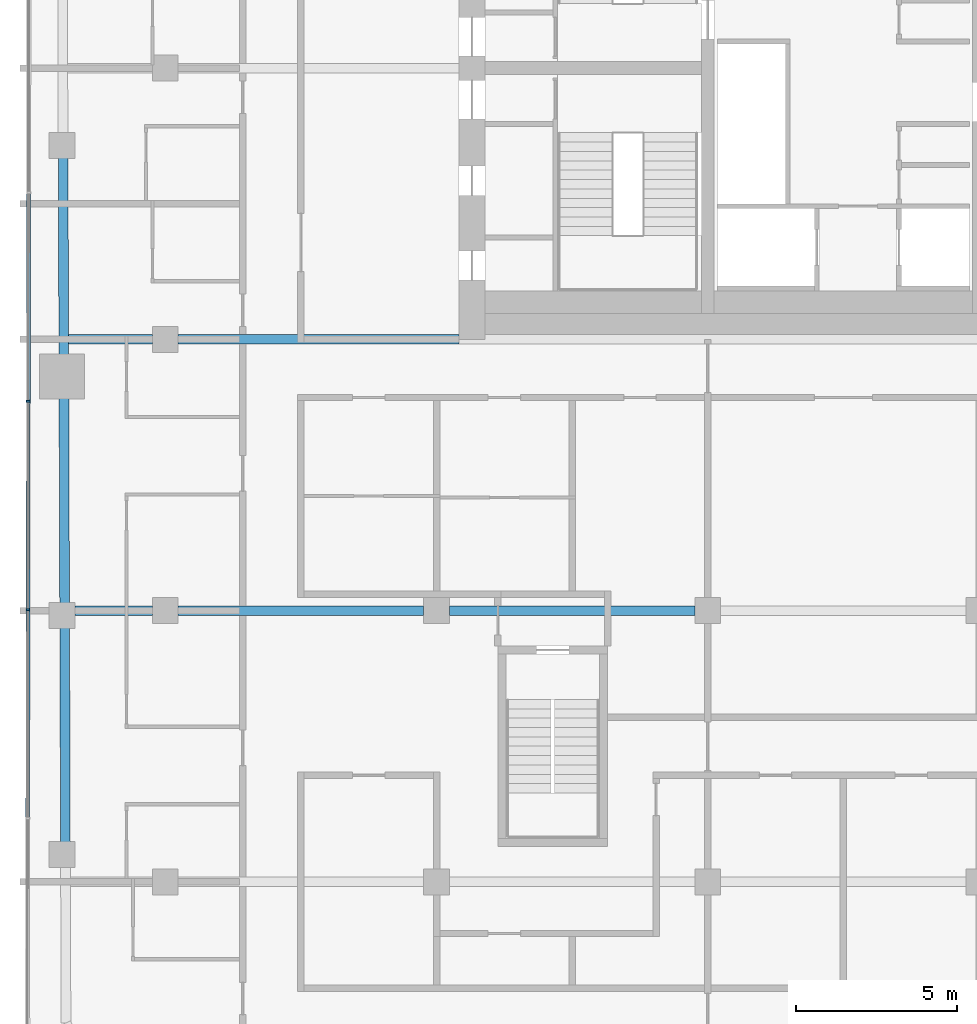
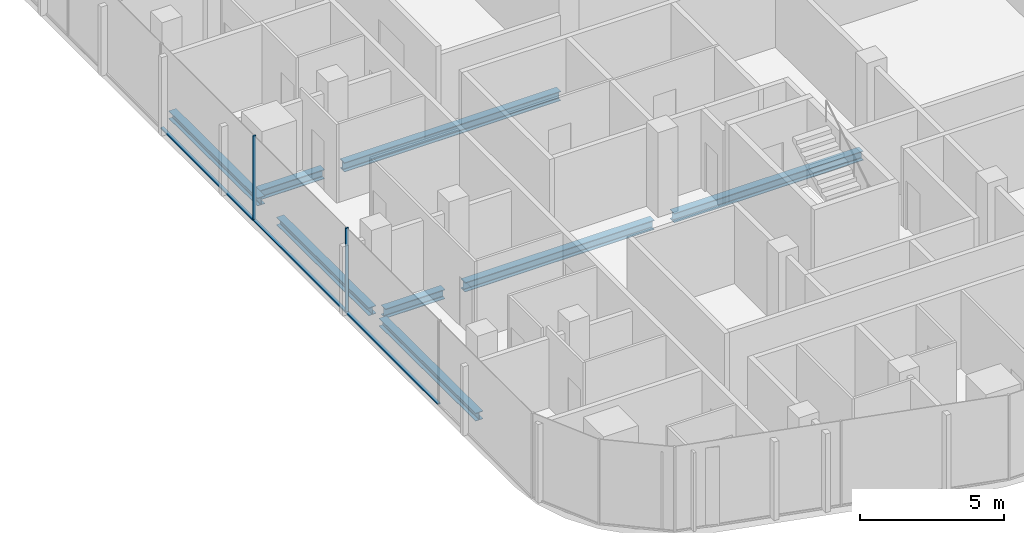
# One storey, part 4 of 22: 8 beams, 5 members, 1 element without a shape of its own.
"""IFC4 building model written with IfcOpenShell, lengths in metres."""

from ifc_helpers import new_model, si_unit, direction, frame, origin, origin_2d, place, context, subcontext, project, spatial, rectangle, i_section, extrude, material, layer, layer_set, material_profile, profile_set, type_object, element, aggregate, save


model = new_model("IFC4")

# Units and contexts
model_context = context("Model", 3, precision=1e-05, world=origin(), true_north=direction((0.0, 1.0)))
body_context = subcontext(model_context, "Body", "Model", "MODEL_VIEW")
ifc_project = project(units=[si_unit("LENGTHUNIT", "METRE"), si_unit("AREAUNIT", "SQUARE_METRE"), si_unit("VOLUMEUNIT", "CUBIC_METRE"), si_unit("PLANEANGLEUNIT", "RADIAN"), si_unit("MASSUNIT", "GRAM", prefix="KILO")], contexts=[model_context])

# Site, building, storey
site_placement = place(None, origin())
site = spatial("IfcSite", under=ifc_project, at=site_placement, CompositionType="ELEMENT")
building_placement = place(site_placement, origin())
building = spatial("IfcBuilding", under=site, at=building_placement, Name="Marenta Gate Hotel Tower", CompositionType="ELEMENT")
storey_placement = place(building_placement, frame((0.0, 0.0, 238.10009765625)))
storey = spatial("IfcBuildingStorey", under=building, at=storey_placement, Name="L56", CompositionType="ELEMENT", Elevation=238.10009765625)

# Beams
ifc_material_1 = material(Name="Steel S355", Category="steel")
ifc_material_profile_1 = material_profile(ifc_material_1, i_section(OverallWidth=0.300048828125, OverallDepth=0.340087890625, WebThickness=0.011962890625, FlangeThickness=0.021484375, FilletRadius=0.027099609375, at=origin_2d()), Name="HEB 340")
ifc_profile_set_1 = profile_set([ifc_material_profile_1], Name="Steel S355")
beam_type_1 = type_object("IfcBeamType", Name="Edge beam HEB 340", PredefinedType="SPANDREL", material=ifc_profile_set_1)
beam_1_placement = place(storey_placement, frame((-24.09375, -15.591796875, -0.43017578125), z_axis=(-0.00332539729, 0.999994470851, 0.0), x_axis=(-0.999994470851, -0.00332539729, 0.0)))
element("IfcBeam", 1, at=beam_1_placement, inside=storey, type_object=beam_type_1, Name="L56-EB-6", PredefinedType="SPANDREL", context=body_context, shape_type="SweptSolid", body=[
    extrude(i_section(OverallWidth=0.300048828125, OverallDepth=0.340087890625, WebThickness=0.011962890625, FlangeThickness=0.021484375, FilletRadius=0.027099609375, at=origin_2d()), origin(), (0.0, 0.0, 1.0), 6.680908203125),
])
beam_2_placement = place(storey_placement, frame((-24.118408203125, -8.19091796875, -0.43017578125), z_axis=(-0.003328723523, 0.999994459785, 0.0), x_axis=(-0.999994459785, -0.003328723523, 0.0)))
element("IfcBeam", 2, at=beam_2_placement, inside=storey, type_object=beam_type_1, Name="L56-EB-7", PredefinedType="SPANDREL", context=body_context, shape_type="SweptSolid", body=[
    extrude(i_section(OverallWidth=0.300048828125, OverallDepth=0.340087890625, WebThickness=0.011962890625, FlangeThickness=0.021484375, FilletRadius=0.027099609375, at=origin_2d()), origin(), (0.0, 0.0, 1.0), 6.380859375),
])
beam_3_placement = place(storey_placement, frame((-24.14404296875, -0.489990234375, -0.43017578125), z_axis=(-0.003303859048, 0.999994542243, 0.0), x_axis=(-0.999994542243, -0.003303859048, 0.0)))
element("IfcBeam", 3, at=beam_3_placement, inside=storey, type_object=beam_type_1, Name="L56-EB-8", PredefinedType="SPANDREL", context=body_context, shape_type="SweptSolid", body=[
    extrude(i_section(OverallWidth=0.300048828125, OverallDepth=0.340087890625, WebThickness=0.011962890625, FlangeThickness=0.021484375, FilletRadius=0.027099609375, at=origin_2d()), origin(), (0.0, 0.0, 1.0), 6.13330078125),
])
ifc_material_2 = material(Name="Steel S355", Category="steel")
ifc_material_profile_2 = material_profile(ifc_material_2, i_section(OverallWidth=0.300048828125, OverallDepth=0.39990234375, WebThickness=0.013427734375, FlangeThickness=0.02392578125, FilletRadius=0.027099609375, at=origin_2d()), Name="HEB 400")
ifc_profile_set_2 = profile_set([ifc_material_profile_2], Name="Steel S355")
beam_type_2 = type_object("IfcBeamType", Name="Girder HEB 400", PredefinedType="BEAM", material=ifc_profile_set_2)
beam_4_placement = place(storey_placement, frame((-23.800048828125, -8.39990234375, -0.460205078125), z_axis=(1.0, 0.0, 0.0), x_axis=(0.0, 1.0, 0.0)))
element("IfcBeam", 4, at=beam_4_placement, inside=storey, type_object=beam_type_2, Name="L56-GD-13", PredefinedType="BEAM", context=body_context, shape_type="SweptSolid", body=[
    extrude(i_section(OverallWidth=0.300048828125, OverallDepth=0.39990234375, WebThickness=0.013427734375, FlangeThickness=0.02392578125, FilletRadius=0.027099609375, at=origin_2d()), origin(), (0.0, 0.0, 1.0), 2.400146484375),
])
beam_5_placement = place(storey_placement, frame((-20.60009765625, -8.39990234375, -0.460205078125), z_axis=(1.0, 0.0, 0.0), x_axis=(0.0, 1.0, 0.0)))
element("IfcBeam", 5, at=beam_5_placement, inside=storey, type_object=beam_type_2, Name="L56-GD-14", PredefinedType="BEAM", context=body_context, shape_type="SweptSolid", body=[
    extrude(i_section(OverallWidth=0.300048828125, OverallDepth=0.39990234375, WebThickness=0.013427734375, FlangeThickness=0.02392578125, FilletRadius=0.027099609375, at=origin_2d()), origin(), (0.0, 0.0, 1.0), 7.60009765625),
])
beam_6_placement = place(storey_placement, frame((-12.199951171875, -8.39990234375, -0.460205078125), z_axis=(1.0, 0.0, 0.0), x_axis=(0.0, 1.0, 0.0)))
element("IfcBeam", 6, at=beam_6_placement, inside=storey, type_object=beam_type_2, Name="L56-GD-15", PredefinedType="BEAM", context=body_context, shape_type="SweptSolid", body=[
    extrude(i_section(OverallWidth=0.300048828125, OverallDepth=0.39990234375, WebThickness=0.013427734375, FlangeThickness=0.02392578125, FilletRadius=0.027099609375, at=origin_2d()), origin(), (0.0, 0.0, 1.0), 7.599853515625),
])
beam_7_placement = place(storey_placement, frame((-23.99560546875, 0.0, -0.460205078125), z_axis=(1.0, 0.0, 0.0), x_axis=(0.0, 1.0, 0.0)))
element("IfcBeam", 7, at=beam_7_placement, inside=storey, type_object=beam_type_2, Name="L56-GD-20", PredefinedType="BEAM", context=body_context, shape_type="SweptSolid", body=[
    extrude(i_section(OverallWidth=0.300048828125, OverallDepth=0.39990234375, WebThickness=0.013427734375, FlangeThickness=0.02392578125, FilletRadius=0.027099609375, at=origin_2d()), origin(), (0.0, 0.0, 1.0), 2.595703125),
])
beam_8_placement = place(storey_placement, frame((-20.60009765625, 0.0, -0.460205078125), z_axis=(1.0, 0.0, 0.0), x_axis=(0.0, 1.0, 0.0)))
element("IfcBeam", 8, at=beam_8_placement, inside=storey, type_object=beam_type_2, Name="L56-GD-21", PredefinedType="BEAM", context=body_context, shape_type="SweptSolid", body=[
    extrude(i_section(OverallWidth=0.300048828125, OverallDepth=0.39990234375, WebThickness=0.013427734375, FlangeThickness=0.02392578125, FilletRadius=0.027099609375, at=origin_2d()), origin(), (0.0, 0.0, 1.0), 8.7001953125),
])

# Curtain wall, members
ifc_material_3 = material(Name="Tinted insulated glass in bronze anodised frame", Category="glass")
ifc_layer = layer(ifc_material_3, 0.1201171875)
ifc_layer_set = layer_set([ifc_layer], Name="Tinted insulated glass in bronze anodised frame")
curtain_wall_type = type_object("IfcCurtainWallType", Name="Tower unitised curtain wall CW1", PredefinedType="NOTDEFINED", material=ifc_layer_set)
curtain_wall_placement = place(storey_placement, origin())
curtain_wall = element("IfcCurtainWall", 9, at=curtain_wall_placement, inside=storey, type_object=curtain_wall_type, Name="CW1 run G03", PredefinedType="NOTDEFINED")
ifc_material_4 = material(Name="Bronze anodised aluminium", Category="aluminium")
ifc_material_profile_3 = material_profile(ifc_material_4, rectangle(XDim=0.1201171875, YDim=0.06005859375, at=origin_2d()), Name="Mullion CW1 60x120 bronze anodised aluminium")
ifc_profile_set_3 = profile_set([ifc_material_profile_3], Name="Bronze anodised aluminium")
member_type_1 = type_object("IfcMemberType", Name="Mullion CW1 60x120 bronze anodised aluminium", PredefinedType="MULLION", material=ifc_profile_set_3)
member_1_placement = place(storey_placement, frame((-25.24267578125, -1.913818359375, 0.0), z_axis=(0.0, 0.0, 1.0), x_axis=(0.99999877375, -0.001566045546, 0.0)))
member_1 = element("IfcMember", 10, at=member_1_placement, type_object=member_type_1, Name="CW1 mullion 4", PredefinedType="MULLION", context=body_context, shape_type="SweptSolid", body=[
    extrude(rectangle(XDim=0.1201171875, YDim=0.06005859375, at=origin_2d()), origin(), (0.0, 0.0, 1.0), 3.599853515625),
])
member_2_placement = place(storey_placement, frame((-25.252685546875, -8.373779296875, 0.0), z_axis=(0.0, 0.0, 1.0), x_axis=(0.99999877375, -0.001566045546, 0.0)))
member_2 = element("IfcMember", 11, at=member_2_placement, type_object=member_type_1, Name="CW1 mullion 5", PredefinedType="MULLION", context=body_context, shape_type="SweptSolid", body=[
    extrude(rectangle(XDim=0.1201171875, YDim=0.06005859375, at=origin_2d()), origin(), (0.0, 0.0, 1.0), 3.599853515625),
])
ifc_material_5 = material(Name="Bronze anodised aluminium", Category="aluminium")
ifc_material_profile_4 = material_profile(ifc_material_5, rectangle(XDim=0.1201171875, YDim=0.06005859375, at=origin_2d()), Name="Transom CW1 60x120 bronze anodised aluminium")
ifc_profile_set_4 = profile_set([ifc_material_profile_4], Name="Bronze anodised aluminium")
member_type_2 = type_object("IfcMemberType", Name="Transom CW1 60x120 bronze anodised aluminium", PredefinedType="USERDEFINED", material=ifc_profile_set_4)
member_3_placement = place(storey_placement, frame((-25.232666015625, 4.51611328125, 0.02978515625), z_axis=(-0.001564047831, -0.999998776876, 0.0), x_axis=(0.999998776876, -0.001564047831, 0.0)))
member_3 = element("IfcMember", 12, at=member_3_placement, type_object=member_type_2, Name="CW1 transom 3.1", ObjectType="TRANSOM", PredefinedType="USERDEFINED", context=body_context, shape_type="SweptSolid", body=[
    extrude(rectangle(XDim=0.1201171875, YDim=0.06005859375, at=origin_2d()), origin(), (0.0, 0.0, 1.0), 6.39990234375),
])
member_4_placement = place(storey_placement, frame((-25.24267578125, -1.94384765625, 0.02978515625), z_axis=(-0.001564047831, -0.999998776876, 0.0), x_axis=(0.999998776876, -0.001564047831, 0.0)))
member_4 = element("IfcMember", 13, at=member_4_placement, type_object=member_type_2, Name="CW1 transom 4.1", ObjectType="TRANSOM", PredefinedType="USERDEFINED", context=body_context, shape_type="SweptSolid", body=[
    extrude(rectangle(XDim=0.1201171875, YDim=0.06005859375, at=origin_2d()), origin(), (0.0, 0.0, 1.0), 6.39990234375),
])
member_5_placement = place(storey_placement, frame((-25.2529296875, -8.40380859375, 0.02978515625), z_axis=(-0.001564047831, -0.999998776876, 0.0), x_axis=(0.999998776876, -0.001564047831, 0.0)))
member_5 = element("IfcMember", 14, at=member_5_placement, type_object=member_type_2, Name="CW1 transom 5.1", ObjectType="TRANSOM", PredefinedType="USERDEFINED", context=body_context, shape_type="SweptSolid", body=[
    extrude(rectangle(XDim=0.1201171875, YDim=0.06005859375, at=origin_2d()), origin(), (0.0, 0.0, 1.0), 6.39990234375),
])
aggregate(curtain_wall, [member_1, member_2, member_3, member_4, member_5])

save(model, "model.ifc")
